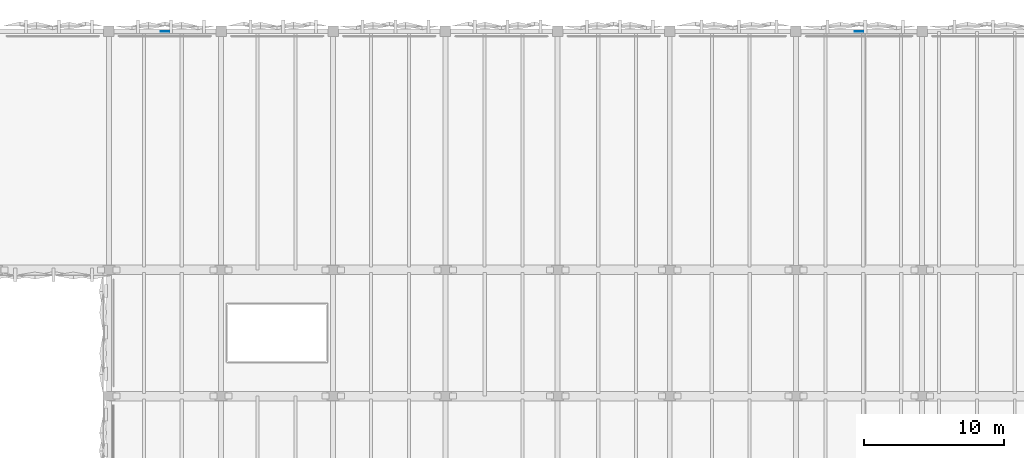
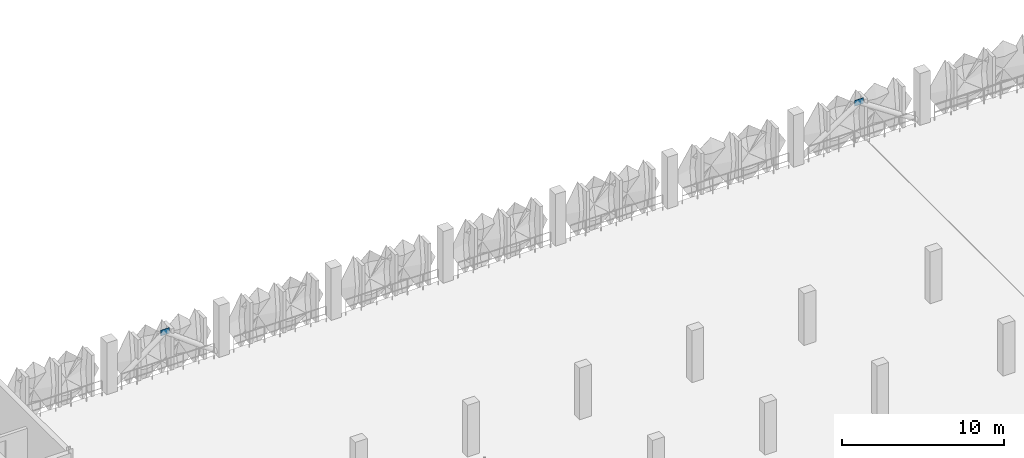
# One storey, part 37 of 76: 2 plates.
"""IFC4 building model written with IfcOpenShell, lengths in metres."""

from ifc_helpers import new_model, si_unit, derived_unit, direction, frame, origin, origin_2d, place, context, subcontext, project, spatial, rectangle, extrude, material, layer, layer_set, type_object, element, save


model = new_model("IFC4")

# Units and contexts
model_context = context("Model", 3, precision=1e-05, world=origin(), true_north=direction((0.0, 1.0)))
body_context = subcontext(model_context, "Body", "Model", "MODEL_VIEW")
ifc_project = project(units=[si_unit("LENGTHUNIT", "METRE"), si_unit("AREAUNIT", "SQUARE_METRE"), si_unit("VOLUMEUNIT", "CUBIC_METRE"), si_unit("PLANEANGLEUNIT", "RADIAN"), si_unit("MASSUNIT", "GRAM", prefix="KILO"), si_unit("THERMODYNAMICTEMPERATUREUNIT", "KELVIN"), derived_unit("THERMALTRANSMITTANCEUNIT", [(si_unit("POWERUNIT", "WATT"), 1), (si_unit("AREAUNIT", "SQUARE_METRE"), -1), (si_unit("THERMODYNAMICTEMPERATUREUNIT", "KELVIN"), -1)])], contexts=[model_context])

# Site, building, storey
site_placement = place(None, origin())
site = spatial("IfcSite", under=ifc_project, at=site_placement, CompositionType="ELEMENT")
building_placement = place(site_placement, origin())
building = spatial("IfcBuilding", under=site, at=building_placement, Name="Haiyu Intermodal Mobility Hub", CompositionType="ELEMENT")
storey_placement = place(building_placement, frame((0.0, 0.0, 17.300048828125)))
storey = spatial("IfcBuildingStorey", under=building, at=storey_placement, Name="L04", CompositionType="ELEMENT", Elevation=17.300048828125)

# Plates
ifc_material = material(Name="Steel Q355C", Category="steel")
ifc_layer = layer(ifc_material, 0.033935546875)
ifc_layer_set = layer_set([ifc_layer], Name="Steel Q355C")
plate_type = type_object("IfcPlateType", Name="PLT-GP04", PredefinedType="USERDEFINED", material=ifc_layer_set)
for number, where, z_axis, x_axis, name in (
    (1, (42.0, 148.0, 2.7900390625), (0.0, 0.0, 1.0), (1.0, 0.0, 0.0), "Chevron Brace Apex Gusset GP-B084"),
    (2, (91.5, 148.0, 2.7900390625), (0.0, 0.0, 1.0), (1.0, 0.0, 0.0), "Chevron Brace Apex Gusset GP-B089"),
):
    element("IfcPlate", number, at=place(storey_placement, frame(where, z_axis=z_axis, x_axis=x_axis)), inside=storey, type_object=plate_type, Name=name, ObjectType="GUSSET PLATE", PredefinedType="USERDEFINED", context=body_context, shape_type="SweptSolid", body=[
        extrude(rectangle(XDim=0.6201171875, YDim=0.033935546875, at=origin_2d()), origin(), (0.0, 0.0, 1.0), 0.419921875),
    ])

save(model, "model.ifc")
